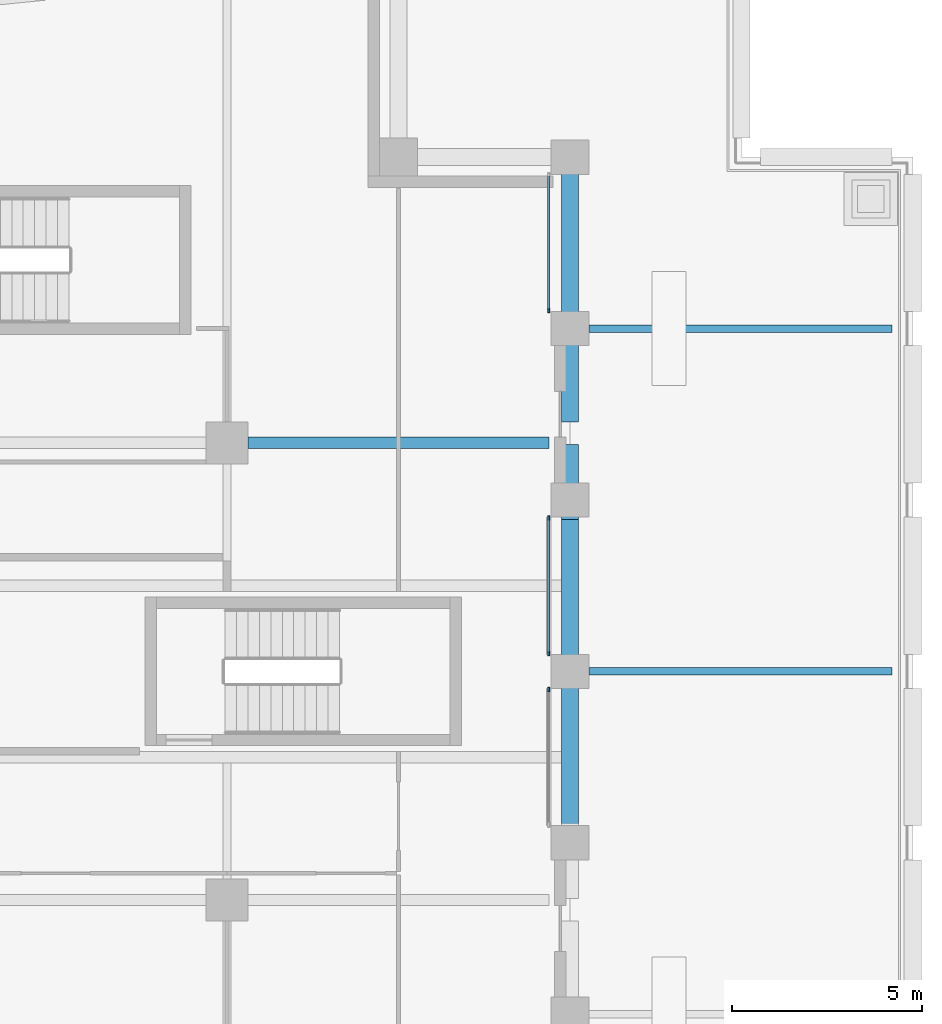
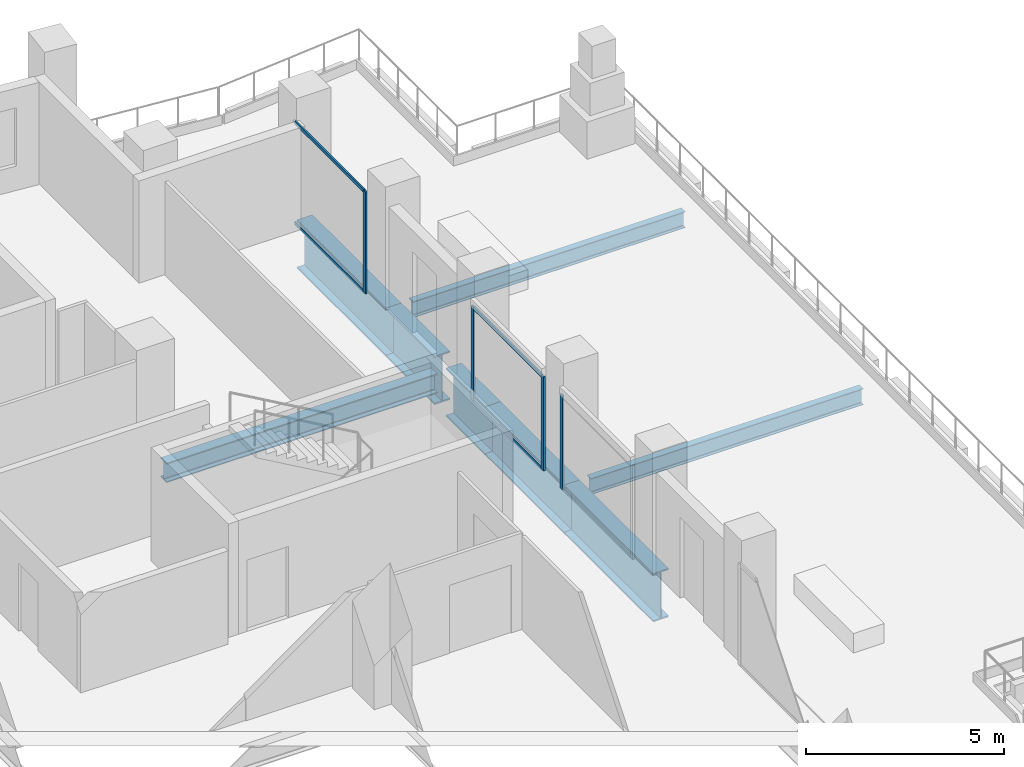
# One storey, part 8 of 19: 8 beams, 8 members, 3 elements without a shape of their own.
"""IFC4 building model written with IfcOpenShell, lengths in metres."""

from ifc_helpers import new_model, si_unit, direction, frame, origin, origin_2d, place, context, subcontext, project, spatial, rectangle, i_section, extrude, material, material_profile, profile_set, type_object, element, aggregate, save


model = new_model("IFC4")

# Units and contexts
model_context = context("Model", 3, precision=1e-05, world=origin(), true_north=direction((0.0, 1.0)))
body_context = subcontext(model_context, "Body", "Model", "MODEL_VIEW")
ifc_project = project(units=[si_unit("LENGTHUNIT", "METRE"), si_unit("AREAUNIT", "SQUARE_METRE"), si_unit("VOLUMEUNIT", "CUBIC_METRE"), si_unit("PLANEANGLEUNIT", "RADIAN"), si_unit("MASSUNIT", "GRAM", prefix="KILO")], contexts=[model_context])

# Site, building, storey
site_placement = place(None, origin())
site = spatial("IfcSite", under=ifc_project, at=site_placement, CompositionType="ELEMENT")
building_placement = place(site_placement, origin())
building = spatial("IfcBuilding", under=site, at=building_placement, Name="Brondeck Convention Tower", CompositionType="ELEMENT")
storey_placement = place(building_placement, frame((0.0, 0.0, 198.800048828125)))
storey = spatial("IfcBuildingStorey", under=building, at=storey_placement, Name="L48", CompositionType="ELEMENT", Elevation=198.800048828125)

# Curtain wall, member
ifc_material_1 = material(Name="Aluminium, bronze anodised", Category="aluminium")
curtain_wall_type = type_object("IfcCurtainWallType", Name="Terrace door screen curtain wall", PredefinedType="NOTDEFINED", material=ifc_material_1)
curtain_wall_1_placement = place(storey_placement, origin())
curtain_wall_1 = element("IfcCurtainWall", 1, at=curtain_wall_1_placement, inside=storey, type_object=curtain_wall_type, Name="ENV-CW6-L48-A-E54-03", PredefinedType="NOTDEFINED")
ifc_material_profile_1 = material_profile(ifc_material_1, rectangle(XDim=0.050048828125, YDim=0.1201171875, at=origin_2d()), Name="CW6 mullion")
ifc_profile_set_1 = profile_set([ifc_material_profile_1], Name="Aluminium, bronze anodised")
member_type_1 = type_object("IfcMemberType", Name="CW6 mullion", PredefinedType="MULLION", material=ifc_profile_set_1)
member_1_placement = place(storey_placement, frame((53.43994140625, 44.52490234375, 0.0), z_axis=(0.0, 0.0, 1.0), x_axis=(1.0, 0.0, 0.0)))
member_1 = element("IfcMember", 2, at=member_1_placement, type_object=member_type_1, Name="CW6 mullion 1", PredefinedType="MULLION", context=body_context, shape_type="SweptSolid", body=[
    extrude(rectangle(XDim=0.050048828125, YDim=0.1201171875, at=origin_2d()), origin(), (0.0, 0.0, 1.0), 2.89990234375),
])
aggregate(curtain_wall_1, [member_1])

# Curtain wall, members
curtain_wall_2_placement = place(storey_placement, origin())
curtain_wall_2 = element("IfcCurtainWall", 3, at=curtain_wall_2_placement, inside=storey, type_object=curtain_wall_type, Name="ENV-CW6-L48-A-E54-04", PredefinedType="NOTDEFINED")
member_2_placement = place(storey_placement, frame((53.43994140625, 49.02490234375, 0.0), z_axis=(0.0, 0.0, 1.0), x_axis=(1.0, 0.0, 0.0)))
member_2 = element("IfcMember", 4, at=member_2_placement, type_object=member_type_1, Name="CW6 mullion 1", PredefinedType="MULLION", context=body_context, shape_type="SweptSolid", body=[
    extrude(rectangle(XDim=0.050048828125, YDim=0.1201171875, at=origin_2d()), origin(), (0.0, 0.0, 1.0), 2.89990234375),
])
member_3_placement = place(storey_placement, frame((53.43994140625, 45.47509765625, 0.0), z_axis=(0.0, 0.0, 1.0), x_axis=(1.0, 0.0, 0.0)))
member_3 = element("IfcMember", 5, at=member_3_placement, type_object=member_type_1, Name="CW6 mullion 2", PredefinedType="MULLION", context=body_context, shape_type="SweptSolid", body=[
    extrude(rectangle(XDim=0.050048828125, YDim=0.1201171875, at=origin_2d()), origin(), (0.0, 0.0, 1.0), 2.89990234375),
])

# Curtain wall, member
curtain_wall_3_placement = place(storey_placement, origin())
curtain_wall_3 = element("IfcCurtainWall", 6, at=curtain_wall_3_placement, inside=storey, type_object=curtain_wall_type, Name="ENV-CW6-L48-A-E54-06", PredefinedType="NOTDEFINED")
member_4_placement = place(storey_placement, frame((53.43994140625, 54.47509765625, 0.0), z_axis=(0.0, 0.0, 1.0), x_axis=(1.0, 0.0, 0.0)))
member_4 = element("IfcMember", 7, at=member_4_placement, type_object=member_type_1, Name="CW6 mullion 2", PredefinedType="MULLION", context=body_context, shape_type="SweptSolid", body=[
    extrude(rectangle(XDim=0.050048828125, YDim=0.1201171875, at=origin_2d()), origin(), (0.0, 0.0, 1.0), 3.14990234375),
])

# Member
ifc_material_profile_2 = material_profile(ifc_material_1, rectangle(XDim=0.050048828125, YDim=0.10009765625, at=origin_2d()), Name="CW6 transom")
ifc_profile_set_2 = profile_set([ifc_material_profile_2], Name="Aluminium, bronze anodised")
member_type_2 = type_object("IfcMemberType", Name="CW6 transom", PredefinedType="USERDEFINED", material=ifc_profile_set_2)
member_5_placement = place(storey_placement, frame((53.43994140625, 49.0, 0.02490234375), z_axis=(0.0, -1.0, 0.0), x_axis=(1.0, 0.0, 0.0)))
member_5 = element("IfcMember", 8, at=member_5_placement, type_object=member_type_2, Name="CW6 transom 1.1", ObjectType="TRANSOM", PredefinedType="USERDEFINED", context=body_context, shape_type="SweptSolid", body=[
    extrude(rectangle(XDim=0.050048828125, YDim=0.10009765625, at=origin_2d()), origin(), (0.0, 0.0, 1.0), 3.5),
])

member_6_placement = place(storey_placement, frame((53.43994140625, 49.0, 2.875), z_axis=(0.0, -1.0, 0.0), x_axis=(1.0, 0.0, 0.0)))
member_6 = element("IfcMember", 9, at=member_6_placement, type_object=member_type_2, Name="CW6 transom 1.2", ObjectType="TRANSOM", PredefinedType="USERDEFINED", context=body_context, shape_type="SweptSolid", body=[
    extrude(rectangle(XDim=0.050048828125, YDim=0.10009765625, at=origin_2d()), origin(), (0.0, 0.0, 1.0), 3.5),
])

aggregate(curtain_wall_2, [member_2, member_3, member_5, member_6])

member_7_placement = place(storey_placement, frame((53.43994140625, 58.0, 0.02490234375), z_axis=(0.0, -1.0, 0.0), x_axis=(1.0, 0.0, 0.0)))
member_7 = element("IfcMember", 10, at=member_7_placement, type_object=member_type_2, Name="CW6 transom 1.1", ObjectType="TRANSOM", PredefinedType="USERDEFINED", context=body_context, shape_type="SweptSolid", body=[
    extrude(rectangle(XDim=0.050048828125, YDim=0.10009765625, at=origin_2d()), origin(), (0.0, 0.0, 1.0), 3.5),
])

member_8_placement = place(storey_placement, frame((53.43994140625, 58.0, 3.125), z_axis=(0.0, -1.0, 0.0), x_axis=(1.0, 0.0, 0.0)))
member_8 = element("IfcMember", 11, at=member_8_placement, type_object=member_type_2, Name="CW6 transom 1.2", ObjectType="TRANSOM", PredefinedType="USERDEFINED", context=body_context, shape_type="SweptSolid", body=[
    extrude(rectangle(XDim=0.050048828125, YDim=0.10009765625, at=origin_2d()), origin(), (0.0, 0.0, 1.0), 3.5),
])

aggregate(curtain_wall_3, [member_4, member_7, member_8])

# Beams
ifc_material_2 = material(Name="Steel S355", Category="steel")
ifc_material_profile_3 = material_profile(ifc_material_2, i_section(OverallWidth=0.199951171875, OverallDepth=0.5, WebThickness=0.01025390625, FlangeThickness=0.01611328125, FilletRadius=0.02099609375, at=origin_2d()), Name="IPE 500")
ifc_profile_set_3 = profile_set([ifc_material_profile_3], Name="Steel S355")
beam_type_1 = type_object("IfcBeamType", Name="Floor beam IPE 500", PredefinedType="BEAM", material=ifc_profile_set_3)
for number, where, z_axis, x_axis, name in (
    (12, (54.5, 45.0, -0.550048828125), (1.0, 0.0, 0.0), (0.0, 1.0, 0.0), "STR-FB-L48T2-002"),
    (13, (54.5, 54.0, -0.550048828125), (1.0, 0.0, 0.0), (0.0, 1.0, 0.0), "STR-FB-L48T2-003"),
):
    element("IfcBeam", number, at=place(storey_placement, frame(where, z_axis=z_axis, x_axis=x_axis)), inside=storey, type_object=beam_type_1, Name=name, PredefinedType="BEAM", context=body_context, shape_type="SweptSolid", body=[
        extrude(i_section(OverallWidth=0.199951171875, OverallDepth=0.5, WebThickness=0.01025390625, FlangeThickness=0.01611328125, FilletRadius=0.02099609375, at=origin_2d()), origin(), (0.0, 0.0, 1.0), 7.949951171875),
    ])
ifc_material_profile_4 = material_profile(ifc_material_2, i_section(OverallWidth=0.300048828125, OverallDepth=0.60009765625, WebThickness=0.015380859375, FlangeThickness=0.030029296875, FilletRadius=0.027099609375, at=origin_2d()), Name="HEB 600")
ifc_profile_set_4 = profile_set([ifc_material_profile_4], Name="Steel S355")
beam_type_2 = type_object("IfcBeamType", Name="Girder HEB 600", PredefinedType="BEAM", material=ifc_profile_set_4)
beam_1_placement = place(storey_placement, frame((45.550048828125, 51.0, -0.60009765625), z_axis=(1.0, 0.0, 0.0), x_axis=(0.0, 1.0, 0.0)))
element("IfcBeam", 14, at=beam_1_placement, inside=storey, type_object=beam_type_2, Name="STR-GR-L48-004", PredefinedType="BEAM", context=body_context, shape_type="SweptSolid", body=[
    extrude(i_section(OverallWidth=0.300048828125, OverallDepth=0.60009765625, WebThickness=0.015380859375, FlangeThickness=0.030029296875, FilletRadius=0.027099609375, at=origin_2d()), origin(), (0.0, 0.0, 1.0), 7.89990234375),
])
ifc_material_3 = material(Name="Steel S460", Category="steel")
ifc_material_profile_5 = material_profile(ifc_material_3, i_section(OverallWidth=0.449951171875, OverallDepth=1.5, WebThickness=0.02490234375, FlangeThickness=0.044921875, at=origin_2d()), Name="PG 1500x450")
ifc_profile_set_5 = profile_set([ifc_material_profile_5], Name="Steel S460")
beam_type_3 = type_object("IfcBeamType", Name="Transfer girder PG 1500x450", PredefinedType="BEAM", material=ifc_profile_set_5)
for number, where, z_axis, x_axis, name in (
    (15, (54.0, 40.5, -1.050048828125), (0.0, 1.0, 0.0), (-1.0, 0.0, 0.0), "Setback transfer girder PG-L48-17"),
    (16, (54.0, 45.0, -1.050048828125), (0.0, 1.0, 0.0), (-1.0, 0.0, 0.0), "Setback transfer girder PG-L48-18"),
):
    element("IfcBeam", number, at=place(storey_placement, frame(where, z_axis=z_axis, x_axis=x_axis)), inside=storey, type_object=beam_type_3, Name=name, PredefinedType="BEAM", context=body_context, shape_type="SweptSolid", body=[
        extrude(i_section(OverallWidth=0.449951171875, OverallDepth=1.5, WebThickness=0.02490234375, FlangeThickness=0.044921875, at=origin_2d()), origin(), (0.0, 0.0, 1.0), 4.5),
    ])
beam_2_placement = place(storey_placement, frame((54.0, 48.989990234375, -1.050048828125), z_axis=(0.0, 1.0, 0.0), x_axis=(-1.0, 0.0, 0.0)))
element("IfcBeam", 17, at=beam_2_placement, inside=storey, type_object=beam_type_3, Name="Setback transfer girder PG-L48-19", PredefinedType="BEAM", context=body_context, shape_type="SweptSolid", body=[
    extrude(i_section(OverallWidth=0.449951171875, OverallDepth=1.5, WebThickness=0.02490234375, FlangeThickness=0.044921875, at=origin_2d()), origin(), (0.0, 0.0, 1.0), 1.969970703125),
])
beam_3_placement = place(storey_placement, frame((54.0, 51.550048828125, -1.050048828125), z_axis=(0.0, 1.0, 0.0), x_axis=(-1.0, 0.0, 0.0)))
element("IfcBeam", 18, at=beam_3_placement, inside=storey, type_object=beam_type_3, Name="Setback transfer girder PG-L48-20", PredefinedType="BEAM", context=body_context, shape_type="SweptSolid", body=[
    extrude(i_section(OverallWidth=0.449951171875, OverallDepth=1.5, WebThickness=0.02490234375, FlangeThickness=0.044921875, at=origin_2d()), origin(), (0.0, 0.0, 1.0), 2.449951171875),
])
beam_4_placement = place(storey_placement, frame((54.0, 54.0, -1.050048828125), z_axis=(0.0, 1.0, 0.0), x_axis=(-1.0, 0.0, 0.0)))
element("IfcBeam", 19, at=beam_4_placement, inside=storey, type_object=beam_type_3, Name="Setback transfer girder PG-L48-21", PredefinedType="BEAM", context=body_context, shape_type="SweptSolid", body=[
    extrude(i_section(OverallWidth=0.449951171875, OverallDepth=1.5, WebThickness=0.02490234375, FlangeThickness=0.044921875, at=origin_2d()), origin(), (0.0, 0.0, 1.0), 4.5),
])

save(model, "model.ifc")
